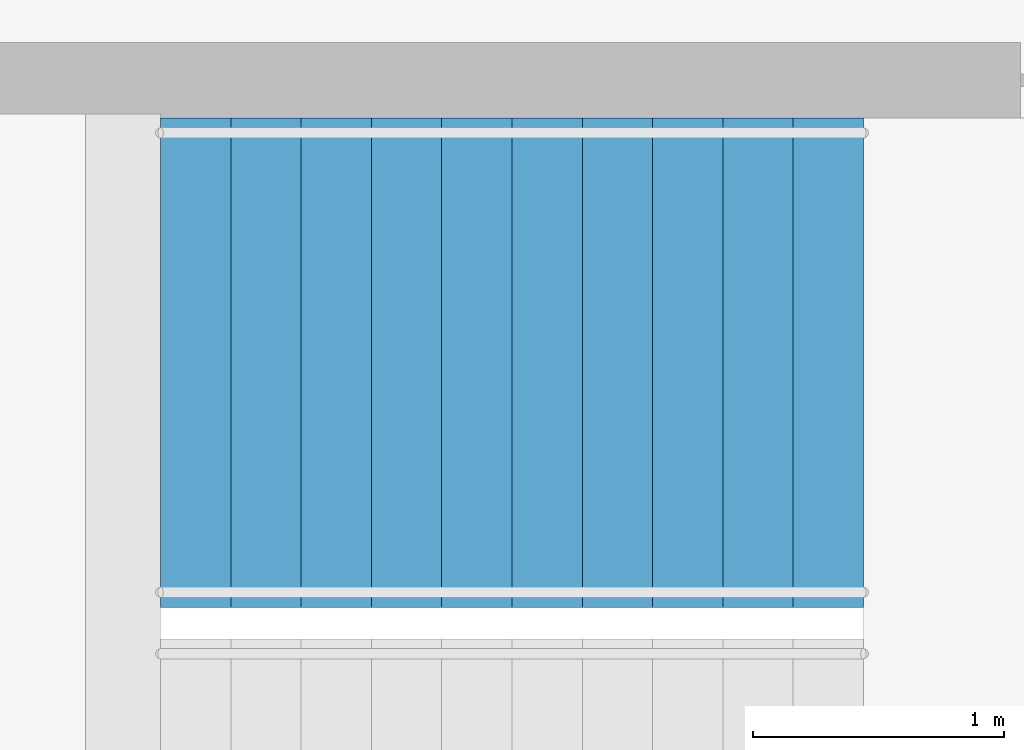
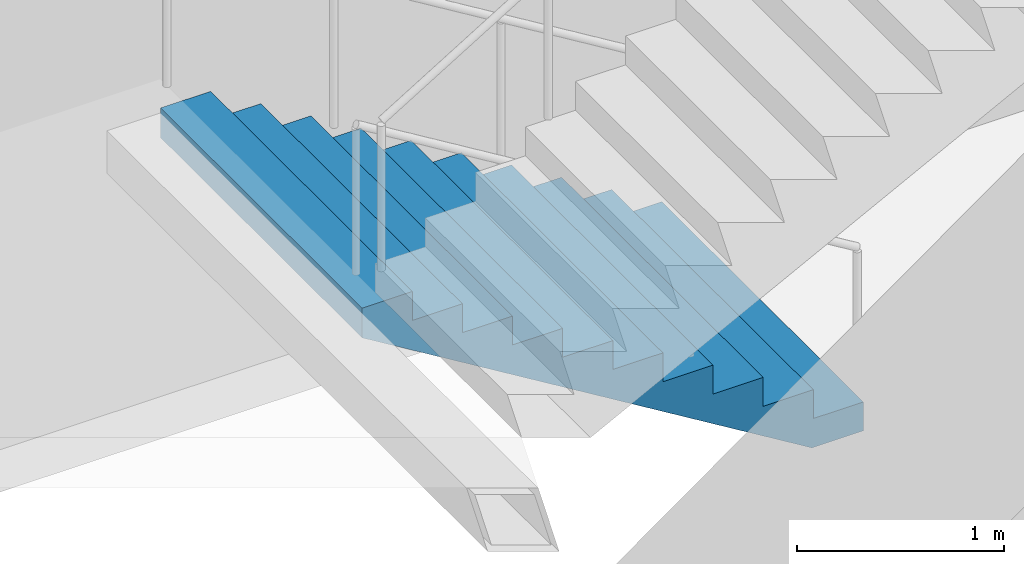
# One storey, part 21 of 22: 1 stair flight, 1 element without a shape of its own.
"""IFC4 building model written with IfcOpenShell, lengths in metres."""

from ifc_helpers import new_model, si_unit, direction, frame, origin, place, context, subcontext, project, spatial, triangles, material, type_object, element, aggregate, save


model = new_model("IFC4")

# Units and contexts
model_context = context("Model", 3, precision=1e-05, world=origin(), true_north=direction((0.0, 1.0)))
body_context = subcontext(model_context, "Body", "Model", "MODEL_VIEW")
ifc_project = project(units=[si_unit("LENGTHUNIT", "METRE"), si_unit("AREAUNIT", "SQUARE_METRE"), si_unit("VOLUMEUNIT", "CUBIC_METRE"), si_unit("PLANEANGLEUNIT", "RADIAN"), si_unit("MASSUNIT", "GRAM", prefix="KILO")], contexts=[model_context])

# Site, building, storey
site_placement = place(None, origin())
site = spatial("IfcSite", under=ifc_project, at=site_placement, CompositionType="ELEMENT")
building_placement = place(site_placement, origin())
building = spatial("IfcBuilding", under=site, at=building_placement, Name="Orbita Commons", CompositionType="ELEMENT")
storey_placement = place(building_placement, frame((0.0, 0.0, 159.85009765625)))
storey = spatial("IfcBuildingStorey", under=building, at=storey_placement, Name="L39", CompositionType="ELEMENT", Elevation=159.85009765625)

# Stair, stair flight
ifc_material_1 = material(Name="Precast concrete C40/50", Category="concrete")
stair_type = type_object("IfcStairType", Name="Exit stair S2 2 flights 11 risers 170", PredefinedType="HALF_TURN_STAIR", material=ifc_material_1)
stair_placement = place(storey_placement, origin())
stair = element("IfcStair", 1, at=stair_placement, inside=storey, type_object=stair_type, Name="Exit stair S2 L39", PredefinedType="HALF_TURN_STAIR")
ifc_material_2 = material(Name="Precast concrete C40/50", Category="concrete")
stair_flight_type = type_object("IfcStairFlightType", Name="Stair flight 11 risers 170 x 280", PredefinedType="STRAIGHT", material=ifc_material_2)
stair_flight_placement = place(storey_placement, frame((63.550048828125, 29.27490234375, 0.0), z_axis=(0.0, 0.0, 1.0), x_axis=(-1.0, 0.0, 0.0)))
stair_flight = element("IfcStairFlight", 2, at=stair_flight_placement, type_object=stair_flight_type, Name="S2 flight 1", NumberOfRisers=11, NumberOfTreads=10, PredefinedType="STRAIGHT", RiserHeight=0.170454545, TreadLength=0.28, context=body_context, shape_type="Tessellation", body=[
    triangles([(0.0, 0.974976, 0.0), (0.0, 0.974976, 0.021307), (0.0, 0.81248, 0.021307), (0.0, 0.81248, 0.0), (0.0, 0.649984, 0.021307), (0.0, 0.649984, 0.0), (0.0, 0.487488, 0.021307), (0.0, 0.487488, 0.0), (0.0, 0.324992, 0.021307), (0.0, 0.324992, 0.0), (0.0, 0.162496, 0.021307), (0.0, 0.162496, 0.0), (0.0, 0.0, 0.021307), (0.0, 0.0, 0.0), (0.0, -0.162496, 0.021307), (0.0, -0.162496, 0.0), (0.0, -0.324992, 0.021307), (0.0, -0.324992, 0.0), (0.0, -0.487488, 0.021307), (0.0, -0.487488, 0.0), (0.0, -0.649984, 0.021307), (0.0, -0.649984, 0.0), (0.0, -0.81248, 0.021307), (0.0, -0.81248, 0.0), (0.0, -0.974976, 0.021307), (0.0, -0.974976, 0.0), (0.0, 0.974976, 0.042614), (0.0, 0.81248, 0.042614), (0.0, 0.649984, 0.042614), (0.0, 0.487488, 0.042614), (0.0, 0.324992, 0.042614), (0.0, 0.162496, 0.042614), (0.0, 0.0, 0.042614), (0.0, -0.162496, 0.042614), (0.0, -0.324992, 0.042614), (0.0, -0.487488, 0.042614), (0.0, -0.649984, 0.042614), (0.0, -0.81248, 0.042614), (0.0, -0.974976, 0.042614), (0.0, 0.974976, 0.06392), (0.0, 0.81248, 0.06392), (0.0, 0.649984, 0.06392), (0.0, 0.487488, 0.06392), (0.0, 0.324992, 0.06392), (0.0, 0.162496, 0.06392), (0.0, 0.0, 0.06392), (0.0, -0.162496, 0.06392), (0.0, -0.324992, 0.06392), (0.0, -0.487488, 0.06392), (0.0, -0.649984, 0.06392), (0.0, -0.81248, 0.06392), (0.0, -0.974976, 0.06392), (0.0, 0.974976, 0.085227), (0.0, 0.81248, 0.085227), (0.0, 0.649984, 0.085227), (0.0, 0.487488, 0.085227), (0.0, 0.324992, 0.085227), (0.0, 0.162496, 0.085227), (0.0, 0.0, 0.085227), (0.0, -0.162496, 0.085227), (0.0, -0.324992, 0.085227), (0.0, -0.487488, 0.085227), (0.0, -0.649984, 0.085227), (0.0, -0.81248, 0.085227), (0.0, -0.974976, 0.085227), (0.0, 0.974976, 0.106534), (0.0, 0.81248, 0.106534), (0.0, 0.649984, 0.106534), (0.0, 0.487488, 0.106534), (0.0, 0.324992, 0.106534), (0.0, 0.162496, 0.106534), (0.0, 0.0, 0.106534), (0.0, -0.162496, 0.106534), (0.0, -0.324992, 0.106534), (0.0, -0.487488, 0.106534), (0.0, -0.649984, 0.106534), (0.0, -0.81248, 0.106534), (0.0, -0.974976, 0.106534), (0.0, 0.974976, 0.127841), (0.0, 0.81248, 0.127841), (0.0, 0.649984, 0.127841), (0.0, 0.487488, 0.127841), (0.0, 0.324992, 0.127841), (0.0, 0.162496, 0.127841), (0.0, 0.0, 0.127841), (0.0, -0.162496, 0.127841), (0.0, -0.324992, 0.127841), (0.0, -0.487488, 0.127841), (0.0, -0.649984, 0.127841), (0.0, -0.81248, 0.127841), (0.0, -0.974976, 0.127841), (0.0, 0.974976, 0.149148), (0.0, 0.81248, 0.149148), (0.0, 0.649984, 0.149148), (0.0, 0.487488, 0.149148), (0.0, 0.324992, 0.149148), (0.0, 0.162496, 0.149148), (0.0, 0.0, 0.149148), (0.0, -0.162496, 0.149148), (0.0, -0.324992, 0.149148), (0.0, -0.487488, 0.149148), (0.0, -0.649984, 0.149148), (0.0, -0.81248, 0.149148), (0.0, -0.974976, 0.149148), (0.0, 0.974976, 0.170455), (0.0, 0.81248, 0.170455), (0.0, 0.649984, 0.170455), (0.0, 0.487488, 0.170455), (0.0, 0.324992, 0.170455), (0.0, 0.162496, 0.170455), (0.0, 0.0, 0.170455), (0.0, -0.162496, 0.170455), (0.0, -0.324992, 0.170455), (0.0, -0.487488, 0.170455), (0.0, -0.649984, 0.170455), (0.0, -0.81248, 0.170455), (0.0, -0.974976, 0.170455), (0.28, 0.974976, 0.170455), (0.28, 0.81248, 0.170455), (0.28, 0.649984, 0.170455), (0.28, 0.487488, 0.170455), (0.28, 0.324992, 0.170455), (0.28, 0.162496, 0.170455), (0.28, 0.0, 0.170455), (0.28, -0.162496, 0.170455), (0.28, -0.324992, 0.170455), (0.28, -0.487488, 0.170455), (0.28, -0.649984, 0.170455), (0.28, -0.81248, 0.170455), (0.28, -0.974976, 0.170455), (0.28, 0.974976, 0.340909), (0.28, 0.81248, 0.340909), (0.28, 0.649984, 0.340909), (0.28, 0.487488, 0.340909), (0.28, 0.324992, 0.340909), (0.28, 0.162496, 0.340909), (0.28, 0.0, 0.340909), (0.28, -0.162496, 0.340909), (0.28, -0.324992, 0.340909), (0.28, -0.487488, 0.340909), (0.28, -0.649984, 0.340909), (0.28, -0.81248, 0.340909), (0.28, -0.974976, 0.340909), (0.56, 0.974976, 0.340909), (0.56, 0.81248, 0.340909), (0.56, 0.649984, 0.340909), (0.56, 0.487488, 0.340909), (0.56, 0.324992, 0.340909), (0.56, 0.162496, 0.340909), (0.56, 0.0, 0.340909), (0.56, -0.162496, 0.340909), (0.56, -0.324992, 0.340909), (0.56, -0.487488, 0.340909), (0.56, -0.649984, 0.340909), (0.56, -0.81248, 0.340909), (0.56, -0.974976, 0.340909), (0.56, 0.974976, 0.511364), (0.56, 0.81248, 0.511364), (0.56, 0.649984, 0.511364), (0.56, 0.487488, 0.511364), (0.56, 0.324992, 0.511364), (0.56, 0.162496, 0.511364), (0.56, 0.0, 0.511364), (0.56, -0.162496, 0.511364), (0.56, -0.324992, 0.511364), (0.56, -0.487488, 0.511364), (0.56, -0.649984, 0.511364), (0.56, -0.81248, 0.511364), (0.56, -0.974976, 0.511364), (0.84, 0.974976, 0.511364), (0.84, 0.81248, 0.511364), (0.84, 0.649984, 0.511364), (0.84, 0.487488, 0.511364), (0.84, 0.324992, 0.511364), (0.84, 0.162496, 0.511364), (0.84, 0.0, 0.511364), (0.84, -0.162496, 0.511364), (0.84, -0.324992, 0.511364), (0.84, -0.487488, 0.511364), (0.84, -0.649984, 0.511364), (0.84, -0.81248, 0.511364), (0.84, -0.974976, 0.511364), (0.84, 0.974976, 0.681818), (0.84, 0.81248, 0.681818), (0.84, 0.649984, 0.681818), (0.84, 0.487488, 0.681818), (0.84, 0.324992, 0.681818), (0.84, 0.162496, 0.681818), (0.84, 0.0, 0.681818), (0.84, -0.162496, 0.681818), (0.84, -0.324992, 0.681818), (0.84, -0.487488, 0.681818), (0.84, -0.649984, 0.681818), (0.84, -0.81248, 0.681818), (0.84, -0.974976, 0.681818), (1.12, 0.974976, 0.681818), (1.12, 0.81248, 0.681818), (1.12, 0.649984, 0.681818), (1.12, 0.487488, 0.681818), (1.12, 0.324992, 0.681818), (1.12, 0.162496, 0.681818), (1.12, 0.0, 0.681818), (1.12, -0.162496, 0.681818), (1.12, -0.324992, 0.681818), (1.12, -0.487488, 0.681818), (1.12, -0.649984, 0.681818), (1.12, -0.81248, 0.681818), (1.12, -0.974976, 0.681818), (1.12, 0.974976, 0.852273), (1.12, 0.81248, 0.852273), (1.12, 0.649984, 0.852273), (1.12, 0.487488, 0.852273), (1.12, 0.324992, 0.852273), (1.12, 0.162496, 0.852273), (1.12, 0.0, 0.852273), (1.12, -0.162496, 0.852273), (1.12, -0.324992, 0.852273), (1.12, -0.487488, 0.852273), (1.12, -0.649984, 0.852273), (1.12, -0.81248, 0.852273), (1.12, -0.974976, 0.852273), (1.4, 0.974976, 0.852273), (1.4, 0.81248, 0.852273), (1.4, 0.649984, 0.852273), (1.4, 0.487488, 0.852273), (1.4, 0.324992, 0.852273), (1.4, 0.162496, 0.852273), (1.4, 0.0, 0.852273), (1.4, -0.162496, 0.852273), (1.4, -0.324992, 0.852273), (1.4, -0.487488, 0.852273), (1.4, -0.649984, 0.852273), (1.4, -0.81248, 0.852273), (1.4, -0.974976, 0.852273), (1.4, 0.974976, 1.022727), (1.4, 0.81248, 1.022727), (1.4, 0.649984, 1.022727), (1.4, 0.487488, 1.022727), (1.4, 0.324992, 1.022727), (1.4, 0.162496, 1.022727), (1.4, 0.0, 1.022727), (1.4, -0.162496, 1.022727), (1.4, -0.324992, 1.022727), (1.4, -0.487488, 1.022727), (1.4, -0.649984, 1.022727), (1.4, -0.81248, 1.022727), (1.4, -0.974976, 1.022727), (1.68, 0.974976, 1.022727), (1.68, 0.81248, 1.022727), (1.68, 0.649984, 1.022727), (1.68, 0.487488, 1.022727), (1.68, 0.324992, 1.022727), (1.68, 0.162496, 1.022727), (1.68, 0.0, 1.022727), (1.68, -0.162496, 1.022727), (1.68, -0.324992, 1.022727), (1.68, -0.487488, 1.022727), (1.68, -0.649984, 1.022727), (1.68, -0.81248, 1.022727), (1.68, -0.974976, 1.022727), (1.68, 0.974976, 1.193182), (1.68, 0.81248, 1.193182), (1.68, 0.649984, 1.193182), (1.68, 0.487488, 1.193182), (1.68, 0.324992, 1.193182), (1.68, 0.162496, 1.193182), (1.68, 0.0, 1.193182), (1.68, -0.162496, 1.193182), (1.68, -0.324992, 1.193182), (1.68, -0.487488, 1.193182), (1.68, -0.649984, 1.193182), (1.68, -0.81248, 1.193182), (1.68, -0.974976, 1.193182), (1.96, 0.974976, 1.193182), (1.96, 0.81248, 1.193182), (1.96, 0.649984, 1.193182), (1.96, 0.487488, 1.193182), (1.96, 0.324992, 1.193182), (1.96, 0.162496, 1.193182), (1.96, 0.0, 1.193182), (1.96, -0.162496, 1.193182), (1.96, -0.324992, 1.193182), (1.96, -0.487488, 1.193182), (1.96, -0.649984, 1.193182), (1.96, -0.81248, 1.193182), (1.96, -0.974976, 1.193182), (1.96, 0.974976, 1.363636), (1.96, 0.81248, 1.363636), (1.96, 0.649984, 1.363636), (1.96, 0.487488, 1.363636), (1.96, 0.324992, 1.363636), (1.96, 0.162496, 1.363636), (1.96, 0.0, 1.363636), (1.96, -0.162496, 1.363636), (1.96, -0.324992, 1.363636), (1.96, -0.487488, 1.363636), (1.96, -0.649984, 1.363636), (1.96, -0.81248, 1.363636), (1.96, -0.974976, 1.363636), (2.24, 0.974976, 1.363636), (2.24, 0.81248, 1.363636), (2.24, 0.649984, 1.363636), (2.24, 0.487488, 1.363636), (2.24, 0.324992, 1.363636), (2.24, 0.162496, 1.363636), (2.24, 0.0, 1.363636), (2.24, -0.162496, 1.363636), (2.24, -0.324992, 1.363636), (2.24, -0.487488, 1.363636), (2.24, -0.649984, 1.363636), (2.24, -0.81248, 1.363636), (2.24, -0.974976, 1.363636), (2.24, 0.974976, 1.534091), (2.24, 0.81248, 1.534091), (2.24, 0.649984, 1.534091), (2.24, 0.487488, 1.534091), (2.24, 0.324992, 1.534091), (2.24, 0.162496, 1.534091), (2.24, 0.0, 1.534091), (2.24, -0.162496, 1.534091), (2.24, -0.324992, 1.534091), (2.24, -0.487488, 1.534091), (2.24, -0.649984, 1.534091), (2.24, -0.81248, 1.534091), (2.24, -0.974976, 1.534091), (2.52, 0.974976, 1.534091), (2.52, 0.81248, 1.534091), (2.52, 0.649984, 1.534091), (2.52, 0.487488, 1.534091), (2.52, 0.324992, 1.534091), (2.52, 0.162496, 1.534091), (2.52, 0.0, 1.534091), (2.52, -0.162496, 1.534091), (2.52, -0.324992, 1.534091), (2.52, -0.487488, 1.534091), (2.52, -0.649984, 1.534091), (2.52, -0.81248, 1.534091), (2.52, -0.974976, 1.534091), (2.52, 0.974976, 1.704545), (2.52, 0.81248, 1.704545), (2.52, 0.649984, 1.704545), (2.52, 0.487488, 1.704545), (2.52, 0.324992, 1.704545), (2.52, 0.162496, 1.704545), (2.52, 0.0, 1.704545), (2.52, -0.162496, 1.704545), (2.52, -0.324992, 1.704545), (2.52, -0.487488, 1.704545), (2.52, -0.649984, 1.704545), (2.52, -0.81248, 1.704545), (2.52, -0.974976, 1.704545), (2.8, 0.974976, 1.704545), (2.8, 0.81248, 1.704545), (2.8, 0.649984, 1.704545), (2.8, 0.487488, 1.704545), (2.8, 0.324992, 1.704545), (2.8, 0.162496, 1.704545), (2.8, 0.0, 1.704545), (2.8, -0.162496, 1.704545), (2.8, -0.324992, 1.704545), (2.8, -0.487488, 1.704545), (2.8, -0.649984, 1.704545), (2.8, -0.81248, 1.704545), (2.8, -0.974976, 1.704545), (2.8, 0.974976, 1.682609), (2.8, 0.81248, 1.682609), (2.8, 0.649984, 1.682609), (2.8, 0.487488, 1.682609), (2.8, 0.324992, 1.682609), (2.8, 0.162496, 1.682609), (2.8, 0.0, 1.682609), (2.8, -0.162496, 1.682609), (2.8, -0.324992, 1.682609), (2.8, -0.487488, 1.682609), (2.8, -0.649984, 1.682609), (2.8, -0.81248, 1.682609), (2.8, -0.974976, 1.682609), (2.8, 0.974976, 1.660672), (2.8, 0.81248, 1.660672), (2.8, 0.649984, 1.660672), (2.8, 0.487488, 1.660672), (2.8, 0.324992, 1.660672), (2.8, 0.162496, 1.660672), (2.8, 0.0, 1.660672), (2.8, -0.162496, 1.660672), (2.8, -0.324992, 1.660672), (2.8, -0.487488, 1.660672), (2.8, -0.649984, 1.660672), (2.8, -0.81248, 1.660672), (2.8, -0.974976, 1.660672), (2.8, 0.974976, 1.638735), (2.8, 0.81248, 1.638735), (2.8, 0.649984, 1.638735), (2.8, 0.487488, 1.638735), (2.8, 0.324992, 1.638735), (2.8, 0.162496, 1.638735), (2.8, 0.0, 1.638735), (2.8, -0.162496, 1.638735), (2.8, -0.324992, 1.638735), (2.8, -0.487488, 1.638735), (2.8, -0.649984, 1.638735), (2.8, -0.81248, 1.638735), (2.8, -0.974976, 1.638735), (2.8, 0.974976, 1.616798), (2.8, 0.81248, 1.616798), (2.8, 0.649984, 1.616798), (2.8, 0.487488, 1.616798), (2.8, 0.324992, 1.616798), (2.8, 0.162496, 1.616798), (2.8, 0.0, 1.616798), (2.8, -0.162496, 1.616798), (2.8, -0.324992, 1.616798), (2.8, -0.487488, 1.616798), (2.8, -0.649984, 1.616798), (2.8, -0.81248, 1.616798), (2.8, -0.974976, 1.616798), (2.8, 0.974976, 1.594861), (2.8, 0.81248, 1.594861), (2.8, 0.649984, 1.594861), (2.8, 0.487488, 1.594861), (2.8, 0.324992, 1.594861), (2.8, 0.162496, 1.594861), (2.8, 0.0, 1.594861), (2.8, -0.162496, 1.594861), (2.8, -0.324992, 1.594861), (2.8, -0.487488, 1.594861), (2.8, -0.649984, 1.594861), (2.8, -0.81248, 1.594861), (2.8, -0.974976, 1.594861), (2.8, 0.974976, 1.572925), (2.8, 0.81248, 1.572925), (2.8, 0.649984, 1.572925), (2.8, 0.487488, 1.572925), (2.8, 0.324992, 1.572925), (2.8, 0.162496, 1.572925), (2.8, 0.0, 1.572925), (2.8, -0.162496, 1.572925), (2.8, -0.324992, 1.572925), (2.8, -0.487488, 1.572925), (2.8, -0.649984, 1.572925), (2.8, -0.81248, 1.572925), (2.8, -0.974976, 1.572925), (2.8, 0.974976, 1.550988), (2.8, 0.81248, 1.550988), (2.8, 0.649984, 1.550988), (2.8, 0.487488, 1.550988), (2.8, 0.324992, 1.550988), (2.8, 0.162496, 1.550988), (2.8, 0.0, 1.550988), (2.8, -0.162496, 1.550988), (2.8, -0.324992, 1.550988), (2.8, -0.487488, 1.550988), (2.8, -0.649984, 1.550988), (2.8, -0.81248, 1.550988), (2.8, -0.974976, 1.550988), (2.8, 0.974976, 1.529051), (2.8, 0.81248, 1.529051), (2.8, 0.649984, 1.529051), (2.8, 0.487488, 1.529051), (2.8, 0.324992, 1.529051), (2.8, 0.162496, 1.529051), (2.8, 0.0, 1.529051), (2.8, -0.162496, 1.529051), (2.8, -0.324992, 1.529051), (2.8, -0.487488, 1.529051), (2.8, -0.649984, 1.529051), (2.8, -0.81248, 1.529051), (2.8, -0.974976, 1.529051), (0.288279, 0.974976, 0.0), (0.288279, 0.81248, 0.0), (0.288279, 0.649984, 0.0), (0.288279, 0.487488, 0.0), (0.288279, 0.324992, 0.0), (0.288279, 0.162496, 0.0), (0.288279, 0.0, 0.0), (0.288279, -0.162496, 0.0), (0.288279, -0.324992, 0.0), (0.288279, -0.487488, 0.0), (0.288279, -0.649984, 0.0), (0.288279, -0.81248, 0.0), (0.288279, -0.974976, 0.0)], [[3, 2, 1], [4, 3, 1], [5, 3, 4], [6, 5, 4], [7, 5, 6], [8, 7, 6], [9, 7, 8], [10, 9, 8], [11, 9, 10], [12, 11, 10], [13, 11, 12], [14, 13, 12], [15, 13, 14], [16, 15, 14], [17, 15, 16], [18, 17, 16], [19, 17, 18], [20, 19, 18], [21, 19, 20], [22, 21, 20], [23, 21, 22], [24, 23, 22], [25, 23, 24], [26, 25, 24], [28, 27, 2], [3, 28, 2], [29, 28, 3], [5, 29, 3], [30, 29, 5], [7, 30, 5], [31, 30, 7], [9, 31, 7], [32, 31, 9], [11, 32, 9], [33, 32, 11], [13, 33, 11], [34, 33, 13], [15, 34, 13], [35, 34, 15], [17, 35, 15], [36, 35, 17], [19, 36, 17], [37, 36, 19], [21, 37, 19], [38, 37, 21], [23, 38, 21], [39, 38, 23], [25, 39, 23], [41, 40, 27], [28, 41, 27], [42, 41, 28], [29, 42, 28], [43, 42, 29], [30, 43, 29], [44, 43, 30], [31, 44, 30], [45, 44, 31], [32, 45, 31], [46, 45, 32], [33, 46, 32], [47, 46, 33], [34, 47, 33], [48, 47, 34], [35, 48, 34], [49, 48, 35], [36, 49, 35], [50, 49, 36], [37, 50, 36], [51, 50, 37], [38, 51, 37], [52, 51, 38], [39, 52, 38], [54, 53, 40], [41, 54, 40], [55, 54, 41], [42, 55, 41], [56, 55, 42], [43, 56, 42], [57, 56, 43], [44, 57, 43], [58, 57, 44], [45, 58, 44], [59, 58, 45], [46, 59, 45], [60, 59, 46], [47, 60, 46], [61, 60, 47], [48, 61, 47], [62, 61, 48], [49, 62, 48], [63, 62, 49], [50, 63, 49], [64, 63, 50], [51, 64, 50], [65, 64, 51], [52, 65, 51], [67, 66, 53], [54, 67, 53], [68, 67, 54], [55, 68, 54], [69, 68, 55], [56, 69, 55], [70, 69, 56], [57, 70, 56], [71, 70, 57], [58, 71, 57], [72, 71, 58], [59, 72, 58], [73, 72, 59], [60, 73, 59], [74, 73, 60], [61, 74, 60], [75, 74, 61], [62, 75, 61], [76, 75, 62], [63, 76, 62], [77, 76, 63], [64, 77, 63], [78, 77, 64], [65, 78, 64], [80, 79, 66], [67, 80, 66], [81, 80, 67], [68, 81, 67], [82, 81, 68], [69, 82, 68], [83, 82, 69], [70, 83, 69], [84, 83, 70], [71, 84, 70], [85, 84, 71], [72, 85, 71], [86, 85, 72], [73, 86, 72], [87, 86, 73], [74, 87, 73], [88, 87, 74], [75, 88, 74], [89, 88, 75], [76, 89, 75], [90, 89, 76], [77, 90, 76], [91, 90, 77], [78, 91, 77], [93, 92, 79], [80, 93, 79], [94, 93, 80], [81, 94, 80], [95, 94, 81], [82, 95, 81], [96, 95, 82], [83, 96, 82], [97, 96, 83], [84, 97, 83], [98, 97, 84], [85, 98, 84], [99, 98, 85], [86, 99, 85], [100, 99, 86], [87, 100, 86], [101, 100, 87], [88, 101, 87], [102, 101, 88], [89, 102, 88], [103, 102, 89], [90, 103, 89], [104, 103, 90], [91, 104, 90], [106, 105, 92], [93, 106, 92], [107, 106, 93], [94, 107, 93], [108, 107, 94], [95, 108, 94], [109, 108, 95], [96, 109, 95], [110, 109, 96], [97, 110, 96], [111, 110, 97], [98, 111, 97], [112, 111, 98], [99, 112, 98], [113, 112, 99], [100, 113, 99], [114, 113, 100], [101, 114, 100], [115, 114, 101], [102, 115, 101], [116, 115, 102], [103, 116, 102], [117, 116, 103], [104, 117, 103], [119, 118, 105], [106, 119, 105], [120, 119, 106], [107, 120, 106], [121, 120, 107], [108, 121, 107], [122, 121, 108], [109, 122, 108], [123, 122, 109], [110, 123, 109], [124, 123, 110], [111, 124, 110], [125, 124, 111], [112, 125, 111], [126, 125, 112], [113, 126, 112], [127, 126, 113], [114, 127, 113], [128, 127, 114], [115, 128, 114], [129, 128, 115], [116, 129, 115], [130, 129, 116], [117, 130, 116], [132, 131, 118], [119, 132, 118], [133, 132, 119], [120, 133, 119], [134, 133, 120], [121, 134, 120], [135, 134, 121], [122, 135, 121], [136, 135, 122], [123, 136, 122], [137, 136, 123], [124, 137, 123], [138, 137, 124], [125, 138, 124], [139, 138, 125], [126, 139, 125], [140, 139, 126], [127, 140, 126], [141, 140, 127], [128, 141, 127], [142, 141, 128], [129, 142, 128], [143, 142, 129], [130, 143, 129], [145, 144, 131], [132, 145, 131], [146, 145, 132], [133, 146, 132], [147, 146, 133], [134, 147, 133], [148, 147, 134], [135, 148, 134], [149, 148, 135], [136, 149, 135], [150, 149, 136], [137, 150, 136], [151, 150, 137], [138, 151, 137], [152, 151, 138], [139, 152, 138], [153, 152, 139], [140, 153, 139], [154, 153, 140], [141, 154, 140], [155, 154, 141], [142, 155, 141], [156, 155, 142], [143, 156, 142], [158, 157, 144], [145, 158, 144], [159, 158, 145], [146, 159, 145], [160, 159, 146], [147, 160, 146], [161, 160, 147], [148, 161, 147], [162, 161, 148], [149, 162, 148], [163, 162, 149], [150, 163, 149], [164, 163, 150], [151, 164, 150], [165, 164, 151], [152, 165, 151], [166, 165, 152], [153, 166, 152], [167, 166, 153], [154, 167, 153], [168, 167, 154], [155, 168, 154], [169, 168, 155], [156, 169, 155], [171, 170, 157], [158, 171, 157], [172, 171, 158], [159, 172, 158], [173, 172, 159], [160, 173, 159], [174, 173, 160], [161, 174, 160], [175, 174, 161], [162, 175, 161], [176, 175, 162], [163, 176, 162], [177, 176, 163], [164, 177, 163], [178, 177, 164], [165, 178, 164], [179, 178, 165], [166, 179, 165], [180, 179, 166], [167, 180, 166], [181, 180, 167], [168, 181, 167], [182, 181, 168], [169, 182, 168], [184, 183, 170], [171, 184, 170], [185, 184, 171], [172, 185, 171], [186, 185, 172], [173, 186, 172], [187, 186, 173], [174, 187, 173], [188, 187, 174], [175, 188, 174], [189, 188, 175], [176, 189, 175], [190, 189, 176], [177, 190, 176], [191, 190, 177], [178, 191, 177], [192, 191, 178], [179, 192, 178], [193, 192, 179], [180, 193, 179], [194, 193, 180], [181, 194, 180], [195, 194, 181], [182, 195, 181], [197, 196, 183], [184, 197, 183], [198, 197, 184], [185, 198, 184], [199, 198, 185], [186, 199, 185], [200, 199, 186], [187, 200, 186], [201, 200, 187], [188, 201, 187], [202, 201, 188], [189, 202, 188], [203, 202, 189], [190, 203, 189], [204, 203, 190], [191, 204, 190], [205, 204, 191], [192, 205, 191], [206, 205, 192], [193, 206, 192], [207, 206, 193], [194, 207, 193], [208, 207, 194], [195, 208, 194], [210, 209, 196], [197, 210, 196], [211, 210, 197], [198, 211, 197], [212, 211, 198], [199, 212, 198], [213, 212, 199], [200, 213, 199], [214, 213, 200], [201, 214, 200], [215, 214, 201], [202, 215, 201], [216, 215, 202], [203, 216, 202], [217, 216, 203], [204, 217, 203], [218, 217, 204], [205, 218, 204], [219, 218, 205], [206, 219, 205], [220, 219, 206], [207, 220, 206], [221, 220, 207], [208, 221, 207], [223, 222, 209], [210, 223, 209], [224, 223, 210], [211, 224, 210], [225, 224, 211], [212, 225, 211], [226, 225, 212], [213, 226, 212], [227, 226, 213], [214, 227, 213], [228, 227, 214], [215, 228, 214], [229, 228, 215], [216, 229, 215], [230, 229, 216], [217, 230, 216], [231, 230, 217], [218, 231, 217], [232, 231, 218], [219, 232, 218], [233, 232, 219], [220, 233, 219], [234, 233, 220], [221, 234, 220], [236, 235, 222], [223, 236, 222], [237, 236, 223], [224, 237, 223], [238, 237, 224], [225, 238, 224], [239, 238, 225], [226, 239, 225], [240, 239, 226], [227, 240, 226], [241, 240, 227], [228, 241, 227], [242, 241, 228], [229, 242, 228], [243, 242, 229], [230, 243, 229], [244, 243, 230], [231, 244, 230], [245, 244, 231], [232, 245, 231], [246, 245, 232], [233, 246, 232], [247, 246, 233], [234, 247, 233], [249, 248, 235], [236, 249, 235], [250, 249, 236], [237, 250, 236], [251, 250, 237], [238, 251, 237], [252, 251, 238], [239, 252, 238], [253, 252, 239], [240, 253, 239], [254, 253, 240], [241, 254, 240], [255, 254, 241], [242, 255, 241], [256, 255, 242], [243, 256, 242], [257, 256, 243], [244, 257, 243], [258, 257, 244], [245, 258, 244], [259, 258, 245], [246, 259, 245], [260, 259, 246], [247, 260, 246], [262, 261, 248], [249, 262, 248], [263, 262, 249], [250, 263, 249], [264, 263, 250], [251, 264, 250], [265, 264, 251], [252, 265, 251], [266, 265, 252], [253, 266, 252], [267, 266, 253], [254, 267, 253], [268, 267, 254], [255, 268, 254], [269, 268, 255], [256, 269, 255], [270, 269, 256], [257, 270, 256], [271, 270, 257], [258, 271, 257], [272, 271, 258], [259, 272, 258], [273, 272, 259], [260, 273, 259], [275, 274, 261], [262, 275, 261], [276, 275, 262], [263, 276, 262], [277, 276, 263], [264, 277, 263], [278, 277, 264], [265, 278, 264], [279, 278, 265], [266, 279, 265], [280, 279, 266], [267, 280, 266], [281, 280, 267], [268, 281, 267], [282, 281, 268], [269, 282, 268], [283, 282, 269], [270, 283, 269], [284, 283, 270], [271, 284, 270], [285, 284, 271], [272, 285, 271], [286, 285, 272], [273, 286, 272], [288, 287, 274], [275, 288, 274], [289, 288, 275], [276, 289, 275], [290, 289, 276], [277, 290, 276], [291, 290, 277], [278, 291, 277], [292, 291, 278], [279, 292, 278], [293, 292, 279], [280, 293, 279], [294, 293, 280], [281, 294, 280], [295, 294, 281], [282, 295, 281], [296, 295, 282], [283, 296, 282], [297, 296, 283], [284, 297, 283], [298, 297, 284], [285, 298, 284], [299, 298, 285], [286, 299, 285], [301, 300, 287], [288, 301, 287], [302, 301, 288], [289, 302, 288], [303, 302, 289], [290, 303, 289], [304, 303, 290], [291, 304, 290], [305, 304, 291], [292, 305, 291], [306, 305, 292], [293, 306, 292], [307, 306, 293], [294, 307, 293], [308, 307, 294], [295, 308, 294], [309, 308, 295], [296, 309, 295], [310, 309, 296], [297, 310, 296], [311, 310, 297], [298, 311, 297], [312, 311, 298], [299, 312, 298], [314, 313, 300], [301, 314, 300], [315, 314, 301], [302, 315, 301], [316, 315, 302], [303, 316, 302], [317, 316, 303], [304, 317, 303], [318, 317, 304], [305, 318, 304], [319, 318, 305], [306, 319, 305], [320, 319, 306], [307, 320, 306], [321, 320, 307], [308, 321, 307], [322, 321, 308], [309, 322, 308], [323, 322, 309], [310, 323, 309], [324, 323, 310], [311, 324, 310], [325, 324, 311], [312, 325, 311], [327, 326, 313], [314, 327, 313], [328, 327, 314], [315, 328, 314], [329, 328, 315], [316, 329, 315], [330, 329, 316], [317, 330, 316], [331, 330, 317], [318, 331, 317], [332, 331, 318], [319, 332, 318], [333, 332, 319], [320, 333, 319], [334, 333, 320], [321, 334, 320], [335, 334, 321], [322, 335, 321], [336, 335, 322], [323, 336, 322], [337, 336, 323], [324, 337, 323], [338, 337, 324], [325, 338, 324], [340, 339, 326], [327, 340, 326], [341, 340, 327], [328, 341, 327], [342, 341, 328], [329, 342, 328], [343, 342, 329], [330, 343, 329], [344, 343, 330], [331, 344, 330], [345, 344, 331], [332, 345, 331], [346, 345, 332], [333, 346, 332], [347, 346, 333], [334, 347, 333], [348, 347, 334], [335, 348, 334], [349, 348, 335], [336, 349, 335], [350, 349, 336], [337, 350, 336], [351, 350, 337], [338, 351, 337], [353, 352, 339], [340, 353, 339], [354, 353, 340], [341, 354, 340], [355, 354, 341], [342, 355, 341], [356, 355, 342], [343, 356, 342], [357, 356, 343], [344, 357, 343], [358, 357, 344], [345, 358, 344], [359, 358, 345], [346, 359, 345], [360, 359, 346], [347, 360, 346], [361, 360, 347], [348, 361, 347], [362, 361, 348], [349, 362, 348], [363, 362, 349], [350, 363, 349], [364, 363, 350], [351, 364, 350], [366, 365, 352], [353, 366, 352], [367, 366, 353], [354, 367, 353], [368, 367, 354], [355, 368, 354], [369, 368, 355], [356, 369, 355], [370, 369, 356], [357, 370, 356], [371, 370, 357], [358, 371, 357], [372, 371, 358], [359, 372, 358], [373, 372, 359], [360, 373, 359], [374, 373, 360], [361, 374, 360], [375, 374, 361], [362, 375, 361], [376, 375, 362], [363, 376, 362], [377, 376, 363], [364, 377, 363], [379, 378, 365], [366, 379, 365], [380, 379, 366], [367, 380, 366], [381, 380, 367], [368, 381, 367], [382, 381, 368], [369, 382, 368], [383, 382, 369], [370, 383, 369], [384, 383, 370], [371, 384, 370], [385, 384, 371], [372, 385, 371], [386, 385, 372], [373, 386, 372], [387, 386, 373], [374, 387, 373], [388, 387, 374], [375, 388, 374], [389, 388, 375], [376, 389, 375], [390, 389, 376], [377, 390, 376], [392, 391, 378], [379, 392, 378], [393, 392, 379], [380, 393, 379], [394, 393, 380], [381, 394, 380], [395, 394, 381], [382, 395, 381], [396, 395, 382], [383, 396, 382], [397, 396, 383], [384, 397, 383], [398, 397, 384], [385, 398, 384], [399, 398, 385], [386, 399, 385], [400, 399, 386], [387, 400, 386], [401, 400, 387], [388, 401, 387], [402, 401, 388], [389, 402, 388], [403, 402, 389], [390, 403, 389], [405, 404, 391], [392, 405, 391], [406, 405, 392], [393, 406, 392], [407, 406, 393], [394, 407, 393], [408, 407, 394], [395, 408, 394], [409, 408, 395], [396, 409, 395], [410, 409, 396], [397, 410, 396], [411, 410, 397], [398, 411, 397], [412, 411, 398], [399, 412, 398], [413, 412, 399], [400, 413, 399], [414, 413, 400], [401, 414, 400], [415, 414, 401], [402, 415, 401], [416, 415, 402], [403, 416, 402], [418, 417, 404], [405, 418, 404], [419, 418, 405], [406, 419, 405], [420, 419, 406], [407, 420, 406], [421, 420, 407], [408, 421, 407], [422, 421, 408], [409, 422, 408], [423, 422, 409], [410, 423, 409], [424, 423, 410], [411, 424, 410], [425, 424, 411], [412, 425, 411], [426, 425, 412], [413, 426, 412], [427, 426, 413], [414, 427, 413], [428, 427, 414], [415, 428, 414], [429, 428, 415], [416, 429, 415], [431, 430, 417], [418, 431, 417], [432, 431, 418], [419, 432, 418], [433, 432, 419], [420, 433, 419], [434, 433, 420], [421, 434, 420], [435, 434, 421], [422, 435, 421], [436, 435, 422], [423, 436, 422], [437, 436, 423], [424, 437, 423], [438, 437, 424], [425, 438, 424], [439, 438, 425], [426, 439, 425], [440, 439, 426], [427, 440, 426], [441, 440, 427], [428, 441, 427], [442, 441, 428], [429, 442, 428], [444, 443, 430], [431, 444, 430], [445, 444, 431], [432, 445, 431], [446, 445, 432], [433, 446, 432], [447, 446, 433], [434, 447, 433], [448, 447, 434], [435, 448, 434], [449, 448, 435], [436, 449, 435], [450, 449, 436], [437, 450, 436], [451, 450, 437], [438, 451, 437], [452, 451, 438], [439, 452, 438], [453, 452, 439], [440, 453, 439], [454, 453, 440], [441, 454, 440], [455, 454, 441], [442, 455, 441], [457, 456, 443], [444, 457, 443], [458, 457, 444], [445, 458, 444], [459, 458, 445], [446, 459, 445], [460, 459, 446], [447, 460, 446], [461, 460, 447], [448, 461, 447], [462, 461, 448], [449, 462, 448], [463, 462, 449], [450, 463, 449], [464, 463, 450], [451, 464, 450], [465, 464, 451], [452, 465, 451], [466, 465, 452], [453, 466, 452], [467, 466, 453], [454, 467, 453], [468, 467, 454], [455, 468, 454], [470, 469, 456], [457, 470, 456], [471, 470, 457], [458, 471, 457], [472, 471, 458], [459, 472, 458], [473, 472, 459], [460, 473, 459], [474, 473, 460], [461, 474, 460], [475, 474, 461], [462, 475, 461], [476, 475, 462], [463, 476, 462], [477, 476, 463], [464, 477, 463], [478, 477, 464], [465, 478, 464], [479, 478, 465], [466, 479, 465], [480, 479, 466], [467, 480, 466], [481, 480, 467], [468, 481, 467], [4, 1, 469], [470, 4, 469], [6, 4, 470], [471, 6, 470], [8, 6, 471], [472, 8, 471], [10, 8, 472], [473, 10, 472], [12, 10, 473], [474, 12, 473], [14, 12, 474], [475, 14, 474], [16, 14, 475], [476, 16, 475], [18, 16, 476], [477, 18, 476], [20, 18, 477], [478, 20, 477], [22, 20, 478], [479, 22, 478], [24, 22, 479], [480, 24, 479], [26, 24, 480], [481, 26, 480], [456, 469, 1], [26, 481, 468], [443, 456, 1], [26, 468, 455], [430, 443, 1], [26, 455, 442], [417, 430, 1], [26, 442, 429], [404, 417, 1], [26, 429, 416], [391, 404, 1], [26, 416, 403], [378, 391, 1], [26, 403, 390], [365, 378, 1], [26, 390, 377], [339, 352, 365], [377, 364, 351], [326, 339, 365], [377, 351, 338], [300, 313, 326], [338, 325, 312], [300, 326, 365], [377, 338, 312], [274, 287, 300], [312, 299, 286], [274, 300, 365], [377, 312, 286], [248, 261, 274], [286, 273, 260], [248, 274, 365], [377, 286, 260], [222, 235, 248], [260, 247, 234], [222, 248, 365], [377, 260, 234], [196, 209, 222], [234, 221, 208], [196, 222, 365], [377, 234, 208], [170, 183, 196], [208, 195, 182], [170, 196, 365], [377, 208, 182], [144, 157, 170], [182, 169, 156], [144, 170, 365], [377, 182, 156], [118, 131, 144], [156, 143, 130], [118, 144, 365], [377, 156, 130], [118, 365, 1], [26, 377, 130], [92, 105, 118], [130, 117, 104], [79, 92, 118], [130, 104, 91], [66, 79, 118], [130, 91, 78], [53, 66, 118], [130, 78, 65], [40, 53, 118], [130, 65, 52], [27, 40, 118], [130, 52, 39], [2, 27, 118], [130, 39, 25], [1, 2, 118], [130, 25, 26]], closed=True),
])
aggregate(stair, [stair_flight])

save(model, "model.ifc")
